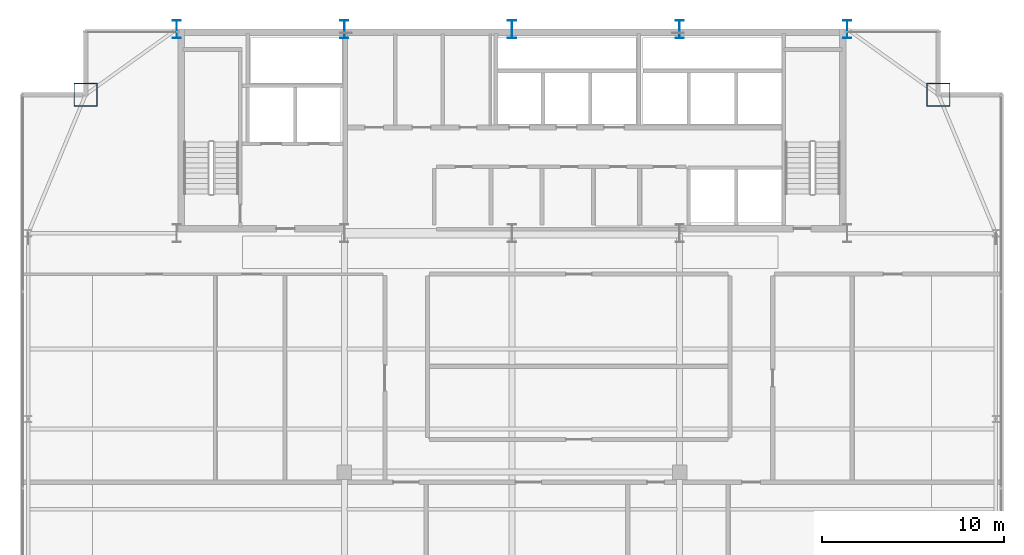
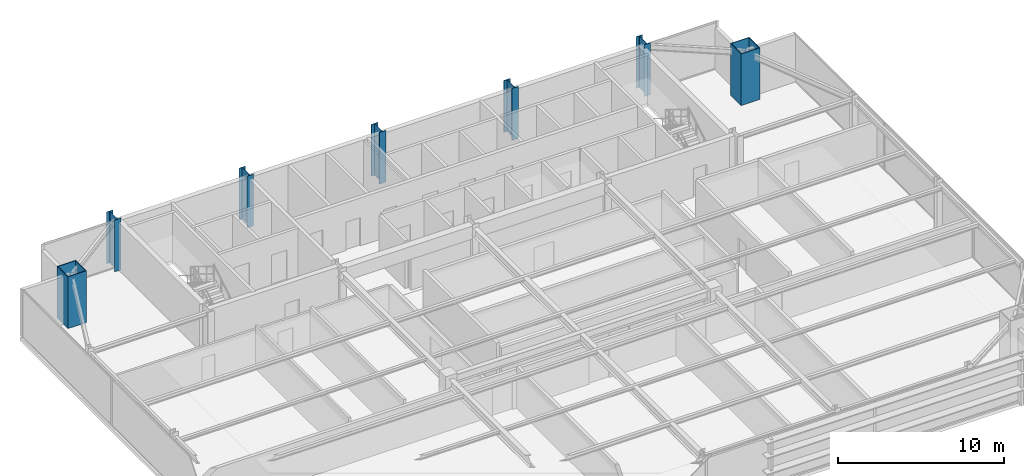
# One storey, part 3 of 29: 7 columns.
"""IFC4 building model written with IfcOpenShell, lengths in metres."""

from ifc_helpers import new_model, si_unit, direction, frame, origin, origin_2d, place, context, subcontext, project, spatial, hollow_rectangle, i_section, extrude, source, transform, mapped, material, material_profile, profile_set, type_object, type_shapes, element, save


model = new_model("IFC4")

# Units and contexts
model_context = context("Model", 3, precision=1e-05, world=origin(), true_north=direction((0.0, 1.0)))
body_context = subcontext(model_context, "Body", "Model", "MODEL_VIEW")
ifc_project = project(units=[si_unit("LENGTHUNIT", "METRE"), si_unit("AREAUNIT", "SQUARE_METRE"), si_unit("VOLUMEUNIT", "CUBIC_METRE"), si_unit("PLANEANGLEUNIT", "RADIAN"), si_unit("MASSUNIT", "GRAM", prefix="KILO")], contexts=[model_context])

# Site, building, storey
site_placement = place(None, origin())
site = spatial("IfcSite", under=ifc_project, at=site_placement, CompositionType="ELEMENT")
building_placement = place(site_placement, origin())
building = spatial("IfcBuilding", under=site, at=building_placement, Name="Varnel Quay Broadcast Tower", CompositionType="ELEMENT")
storey_placement = place(building_placement, frame((0.0, 0.0, 187.60009765625)))
storey = spatial("IfcBuildingStorey", under=building, at=storey_placement, Name="L46", CompositionType="ELEMENT", Elevation=187.60009765625)

# Columns
ifc_material = material(Name="Structural Steel CSA G40.21 350WT", Category="steel")
ifc_material_profile_1 = material_profile(ifc_material, i_section(OverallWidth=0.449951171875, OverallDepth=1.0, WebThickness=0.01611328125, FlangeThickness=0.030029296875, FilletRadius=0.01611328125, at=origin_2d()), Name="WWF1000X362")
ifc_profile_set_1 = profile_set([ifc_material_profile_1], Name="Structural Steel CSA G40.21 350WT")
column_type_1 = type_object("IfcColumnType", Name="Col_WWF1000X362", PredefinedType="COLUMN", material=ifc_profile_set_1)
shared_shape_1 = source(origin(), body_context, "Body", "SweptSolid", [
    extrude(i_section(OverallWidth=0.449951171875, OverallDepth=1.0, WebThickness=0.01611328125, FlangeThickness=0.030029296875, FilletRadius=0.01611328125, at=origin_2d()), origin(), (0.0, 0.0, 1.0), 3.7998046875),
])
type_shapes(column_type_1, [shared_shape_1])
for number, where, z_axis, x_axis, name in (
    (1, (15.60009765625, 46.800048828125, 0.0), (0.0, 0.0, 1.0), (1.0, 0.0, 0.0), "L46 Column CC-N1"),
    (2, (24.800048828125, 46.800048828125, 0.0), (0.0, 0.0, 1.0), (1.0, 0.0, 0.0), "L46 Column CC-N2"),
    (3, (34.0, 46.800048828125, 0.0), (0.0, 0.0, 1.0), (1.0, 0.0, 0.0), "L46 Column CC-N3"),
    (4, (43.199951171875, 46.800048828125, 0.0), (0.0, 0.0, 1.0), (1.0, 0.0, 0.0), "L46 Column CC-N4"),
    (5, (52.39990234375, 46.800048828125, 0.0), (0.0, 0.0, 1.0), (1.0, 0.0, 0.0), "L46 Column CC-N5"),
):
    element("IfcColumn", number, at=place(storey_placement, frame(where, z_axis=z_axis, x_axis=x_axis)), inside=storey, type_object=column_type_1, Name=name, PredefinedType="COLUMN", context=body_context, shape_type="MappedRepresentation", body=[
        mapped(shared_shape_1, transform((0.0, 0.0, 0.0), x_axis=(1.0, 0.0, 0.0), y_axis=(0.0, 1.0, 0.0), z_axis=(0.0, 0.0, 1.0), scale=1.0)),
    ])
ifc_material_profile_2 = material_profile(ifc_material, hollow_rectangle(XDim=1.300048828125, YDim=1.300048828125, WallThickness=0.050048828125, at=origin_2d()), Name="BOX1300X1300X50")
ifc_profile_set_2 = profile_set([ifc_material_profile_2], Name="Structural Steel CSA G40.21 350WT")
column_type_2 = type_object("IfcColumnType", Name="Col_BOX1300X1300X50", PredefinedType="COLUMN", material=ifc_profile_set_2)
shared_shape_2 = source(origin(), body_context, "Body", "SweptSolid", [
    extrude(hollow_rectangle(XDim=1.300048828125, YDim=1.300048828125, WallThickness=0.050048828125, at=origin_2d()), origin(), (0.0, 0.0, 1.0), 3.7998046875),
])
type_shapes(column_type_2, [shared_shape_2])
for number, where, z_axis, x_axis, name in (
    (6, (57.39990234375, 43.199951171875, 0.0), (0.0, 0.0, 1.0), (1.0, 0.0, 0.0), "L46 Column MC-NE"),
    (7, (10.60009765625, 43.199951171875, 0.0), (0.0, 0.0, 1.0), (1.0, 0.0, 0.0), "L46 Column MC-NW"),
):
    element("IfcColumn", number, at=place(storey_placement, frame(where, z_axis=z_axis, x_axis=x_axis)), inside=storey, type_object=column_type_2, Name=name, PredefinedType="COLUMN", context=body_context, shape_type="MappedRepresentation", body=[
        mapped(shared_shape_2, transform((0.0, 0.0, 0.0), x_axis=(1.0, 0.0, 0.0), y_axis=(0.0, 1.0, 0.0), z_axis=(0.0, 0.0, 1.0), scale=1.0)),
    ])

save(model, "model.ifc")
